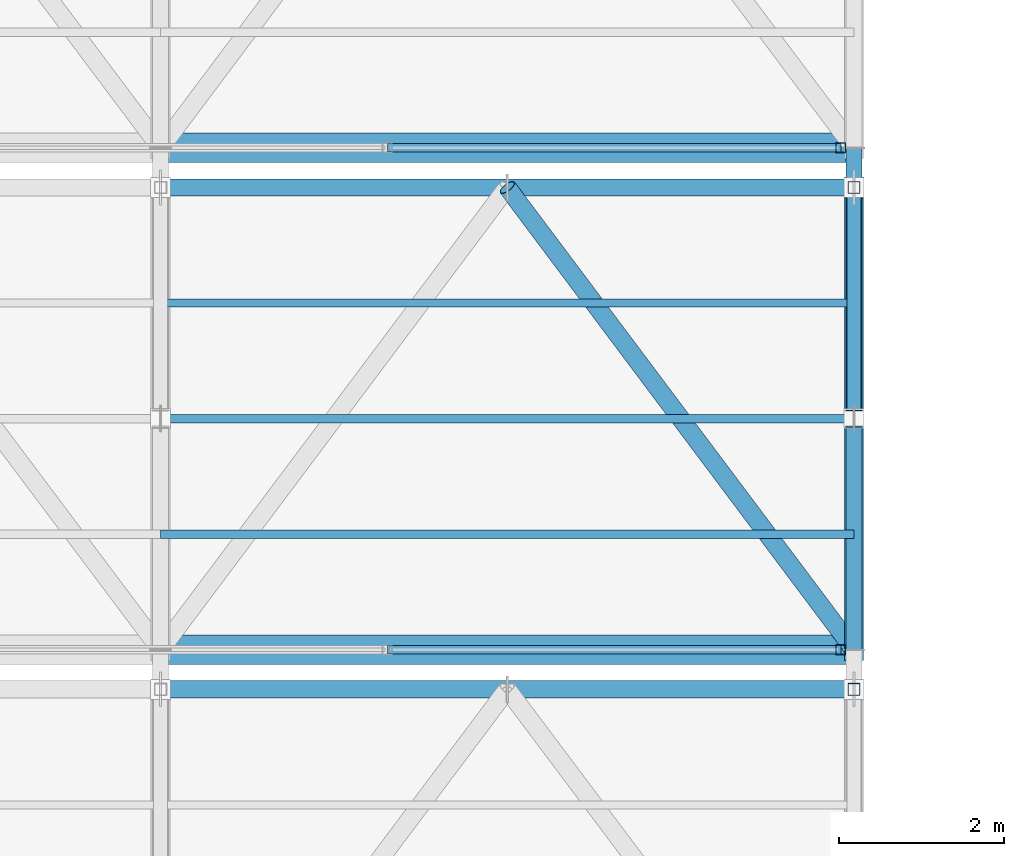
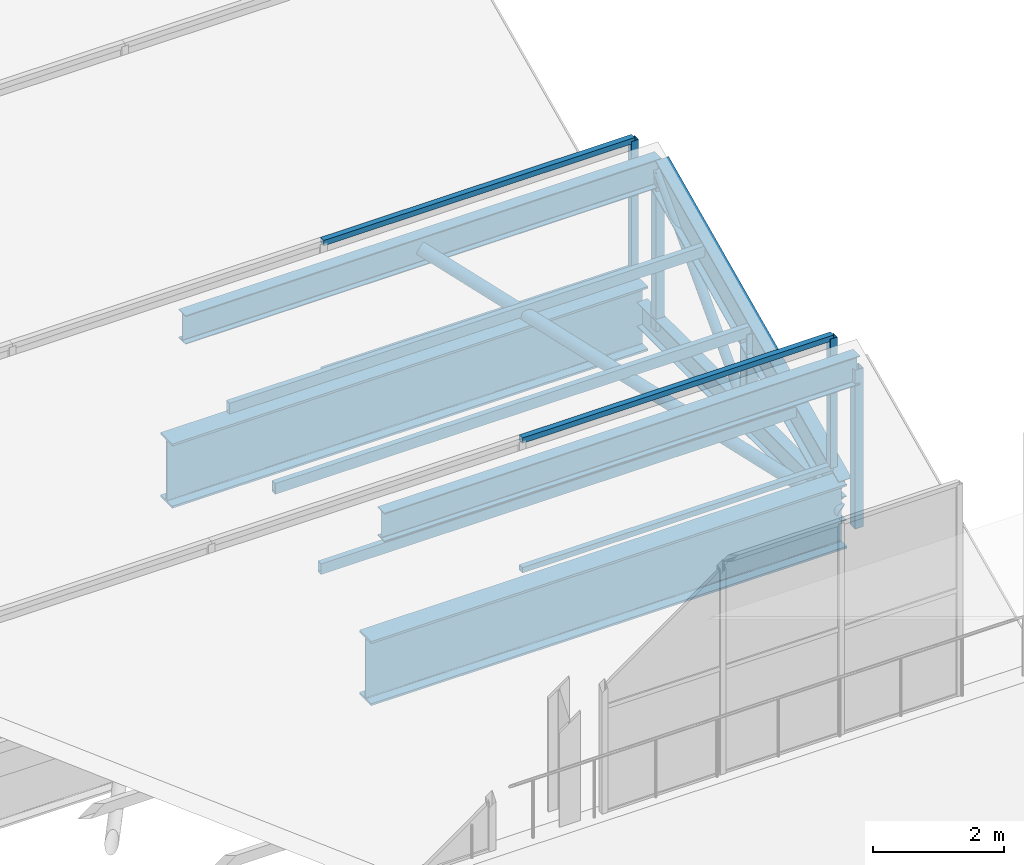
# One storey, part 100 of 217: 18 members, 2 beams, 2 elements without a shape of their own.
"""IFC4 building model written with IfcOpenShell, lengths in metres."""

from ifc_helpers import new_model, si_unit, direction, frame, origin, origin_2d, place, context, subcontext, project, spatial, hollow_rectangle, hollow_circle, i_section, extrude, material, material_profile, profile_set, type_object, element, aggregate, save


model = new_model("IFC4")

# Units and contexts
model_context = context("Model", 3, precision=1e-05, world=origin(), true_north=direction((0.0, 1.0)))
body_context = subcontext(model_context, "Body", "Model", "MODEL_VIEW")
ifc_project = project(units=[si_unit("LENGTHUNIT", "METRE"), si_unit("AREAUNIT", "SQUARE_METRE"), si_unit("VOLUMEUNIT", "CUBIC_METRE"), si_unit("PLANEANGLEUNIT", "RADIAN"), si_unit("MASSUNIT", "GRAM", prefix="KILO")], contexts=[model_context])

# Site, building, storey
site_placement = place(None, origin())
site = spatial("IfcSite", under=ifc_project, at=site_placement, CompositionType="ELEMENT")
building_placement = place(site_placement, origin())
building = spatial("IfcBuilding", under=site, at=building_placement, Name="Zuvorla Pavilion Media Centre", CompositionType="ELEMENT")
storey_placement = place(building_placement, frame((0.0, 0.0, 9.60009765625)))
storey = spatial("IfcBuildingStorey", under=building, at=storey_placement, Name="L02", CompositionType="ELEMENT", Elevation=9.60009765625)

# Beams
ifc_material_1 = material(Name="Steel S355", Category="steel")
ifc_material_profile_1 = material_profile(ifc_material_1, i_section(OverallWidth=0.360107421875, OverallDepth=1.199951171875, WebThickness=0.02001953125, FlangeThickness=0.0380859375, FilletRadius=0.02392578125, at=origin_2d()), Name="PG 1200x360x38")
ifc_profile_set_1 = profile_set([ifc_material_profile_1], Name="Steel S355")
beam_type = type_object("IfcBeamType", Name="BM-PG1200", PredefinedType="BEAM", material=ifc_profile_set_1)
for number, where, z_axis, x_axis, name in (
    (1, (125.60009765625, 95.679931640625, -0.88818359375), (1.0, 0.0, 0.0), (0.0, 1.0, 0.0), "L02 beam B01 1789"),
    (2, (125.60009765625, 101.760009765625, -0.88818359375), (1.0, 0.0, 0.0), (0.0, 1.0, 0.0), "L02 beam B01 1795"),
):
    element("IfcBeam", number, at=place(storey_placement, frame(where, z_axis=z_axis, x_axis=x_axis)), inside=storey, type_object=beam_type, Name=name, PredefinedType="BEAM", context=body_context, shape_type="SweptSolid", body=[
        extrude(i_section(OverallWidth=0.360107421875, OverallDepth=1.199951171875, WebThickness=0.02001953125, FlangeThickness=0.0380859375, FilletRadius=0.02392578125, at=origin_2d()), origin(), (0.0, 0.0, 1.0), 8.39990234375),
    ])

# Curtain wall, member
ifc_material_2 = material(Name="Unitised anodised aluminium and solar glass curtain wall", Category="aluminium")
curtain_wall_type = type_object("IfcCurtainWallType", Name="CW-SYS-88", PredefinedType="USERDEFINED", material=ifc_material_2)
curtain_wall_1_placement = place(storey_placement, origin())
curtain_wall_1 = element("IfcCurtainWall", 3, at=curtain_wall_1_placement, inside=storey, type_object=curtain_wall_type, Name="L02 curtain wall CW88 203", ObjectType="CURTAIN WALL", PredefinedType="USERDEFINED")
ifc_material_3 = material(Name="Anodised aluminium 6063-T6", Category="aluminium")
ifc_material_profile_2 = material_profile(ifc_material_3, hollow_rectangle(XDim=0.1201171875, YDim=0.1201171875, WallThickness=0.0048828125, at=origin_2d()), Name="ALU MULL 120x120")
ifc_profile_set_2 = profile_set([ifc_material_profile_2], Name="Anodised aluminium 6063-T6")
member_type_1 = type_object("IfcMemberType", Name="CW-MULL-120", PredefinedType="MULLION", material=ifc_profile_set_2)
member_1_placement = place(storey_placement, frame((133.840087890625, 95.679931640625, 0.0), z_axis=(0.0, 0.0, 1.0), x_axis=(1.0, 0.0, 0.0)))
member_1 = element("IfcMember", 4, at=member_1_placement, type_object=member_type_1, Name="CW88 mullion 4", PredefinedType="MULLION", context=body_context, shape_type="SweptSolid", body=[
    extrude(hollow_rectangle(XDim=0.1201171875, YDim=0.1201171875, WallThickness=0.0048828125, at=origin_2d()), origin(), (0.0, 0.0, 1.0), 2.419921875),
])

curtain_wall_2_placement = place(storey_placement, origin())
curtain_wall_2 = element("IfcCurtainWall", 5, at=curtain_wall_2_placement, inside=storey, type_object=curtain_wall_type, Name="L02 curtain wall CW88 207", ObjectType="CURTAIN WALL", PredefinedType="USERDEFINED")
member_2_placement = place(storey_placement, frame((133.840087890625, 101.760009765625, 0.0), z_axis=(0.0, 0.0, 1.0), x_axis=(1.0, 0.0, 0.0)))
member_2 = element("IfcMember", 6, at=member_2_placement, type_object=member_type_1, Name="CW88 mullion 4", PredefinedType="MULLION", context=body_context, shape_type="SweptSolid", body=[
    extrude(hollow_rectangle(XDim=0.1201171875, YDim=0.1201171875, WallThickness=0.0048828125, at=origin_2d()), origin(), (0.0, 0.0, 1.0), 2.419921875),
])

# Member
ifc_material_profile_3 = material_profile(ifc_material_3, hollow_rectangle(XDim=0.10009765625, YDim=0.10009765625, WallThickness=0.00439453125, at=origin_2d()), Name="ALU TRAN 100x100")
ifc_profile_set_3 = profile_set([ifc_material_profile_3], Name="Anodised aluminium 6063-T6")
member_type_2 = type_object("IfcMemberType", Name="CW-TRAN-100", PredefinedType="USERDEFINED", material=ifc_profile_set_3)
member_3_placement = place(storey_placement, frame((128.3466796875, 95.679931640625, 0.0), z_axis=(1.0, 0.0, 0.0), x_axis=(0.0, 1.0, 0.0)))
member_3 = element("IfcMember", 7, at=member_3_placement, type_object=member_type_2, Name="CW88 transom 3.1", ObjectType="TRANSOM", PredefinedType="USERDEFINED", context=body_context, shape_type="SweptSolid", body=[
    extrude(hollow_rectangle(XDim=0.10009765625, YDim=0.10009765625, WallThickness=0.00439453125, at=origin_2d()), origin(), (0.0, 0.0, 1.0), 5.493408203125),
])

member_4_placement = place(storey_placement, frame((128.3466796875, 95.679931640625, 2.419921875), z_axis=(1.0, 0.0, 0.0), x_axis=(0.0, 1.0, 0.0)))
member_4 = element("IfcMember", 8, at=member_4_placement, type_object=member_type_2, Name="CW88 transom 3.2", ObjectType="TRANSOM", PredefinedType="USERDEFINED", context=body_context, shape_type="SweptSolid", body=[
    extrude(hollow_rectangle(XDim=0.10009765625, YDim=0.10009765625, WallThickness=0.00439453125, at=origin_2d()), origin(), (0.0, 0.0, 1.0), 5.493408203125),
])

aggregate(curtain_wall_1, [member_1, member_3, member_4])

member_5_placement = place(storey_placement, frame((128.3466796875, 101.760009765625, 0.0), z_axis=(1.0, 0.0, 0.0), x_axis=(0.0, 1.0, 0.0)))
member_5 = element("IfcMember", 9, at=member_5_placement, type_object=member_type_2, Name="CW88 transom 3.1", ObjectType="TRANSOM", PredefinedType="USERDEFINED", context=body_context, shape_type="SweptSolid", body=[
    extrude(hollow_rectangle(XDim=0.10009765625, YDim=0.10009765625, WallThickness=0.00439453125, at=origin_2d()), origin(), (0.0, 0.0, 1.0), 5.493408203125),
])

member_6_placement = place(storey_placement, frame((128.3466796875, 101.760009765625, 2.419921875), z_axis=(1.0, 0.0, 0.0), x_axis=(0.0, 1.0, 0.0)))
member_6 = element("IfcMember", 10, at=member_6_placement, type_object=member_type_2, Name="CW88 transom 3.2", ObjectType="TRANSOM", PredefinedType="USERDEFINED", context=body_context, shape_type="SweptSolid", body=[
    extrude(hollow_rectangle(XDim=0.10009765625, YDim=0.10009765625, WallThickness=0.00439453125, at=origin_2d()), origin(), (0.0, 0.0, 1.0), 5.493408203125),
])

aggregate(curtain_wall_2, [member_2, member_5, member_6])

# Members
ifc_material_profile_4 = material_profile(ifc_material_1, hollow_circle(Radius=0.084228515625, WallThickness=0.008056640625, at=origin_2d()), Name="CHS 168.3x8")
ifc_profile_set_4 = profile_set([ifc_material_profile_4], Name="Steel S355")
member_type_3 = type_object("IfcMemberType", Name="MEM-BRC-CHS168", PredefinedType="BRACE", material=ifc_profile_set_4)
member_7_placement = place(storey_placement, frame((134.0, 98.47998046875, -0.880126953125), z_axis=(0.0, 0.68676242614, 0.726881950555), x_axis=(-1.0, 0.0, 0.0)))
element("IfcMember", 11, at=member_7_placement, inside=storey, type_object=member_type_3, Name="L02 diagonal brace TB03 169", PredefinedType="BRACE", context=body_context, shape_type="SweptSolid", body=[
    extrude(hollow_circle(Radius=0.084228515625, WallThickness=0.008056640625, at=origin_2d()), origin(), (0.0, 0.0, 1.0), 4.0771484375),
])
ifc_material_profile_5 = material_profile(ifc_material_1, hollow_circle(Radius=0.109619140625, WallThickness=0.010009765625, at=origin_2d()), Name="CHS 219.1x10")
ifc_profile_set_5 = profile_set([ifc_material_profile_5], Name="Steel S355")
member_type_4 = type_object("IfcMemberType", Name="MEM-BRC-CHS219", PredefinedType="BRACE", material=ifc_profile_set_5)
member_8_placement = place(storey_placement, frame((129.800048828125, 101.280029296875, 2.08349609375), z_axis=(0.552511596944, -0.736703540702, -0.389870271191), x_axis=(0.800008370399, 0.599988839305, 0.0)))
element("IfcMember", 12, at=member_8_placement, inside=storey, type_object=member_type_4, Name="L02 diagonal brace TB02 215", PredefinedType="BRACE", context=body_context, shape_type="SweptSolid", body=[
    extrude(hollow_circle(Radius=0.109619140625, WallThickness=0.010009765625, at=origin_2d()), origin(), (0.0, 0.0, 1.0), 7.6015625),
])
ifc_material_profile_6 = material_profile(ifc_material_1, i_section(OverallWidth=0.19140625, OverallDepth=0.4599609375, WebThickness=0.010009765625, FlangeThickness=0.01611328125, FilletRadius=0.01025390625, at=origin_2d()), Name="UB 457x191x82")
ifc_profile_set_6 = profile_set([ifc_material_profile_6], Name="Steel S355")
member_type_5 = type_object("IfcMemberType", Name="MEM-CHD-UB457", PredefinedType="CHORD", material=ifc_profile_set_6)
member_9_placement = place(storey_placement, frame((134.0, 95.679931640625, -0.880126953125), z_axis=(0.0, 1.0, 0.0), x_axis=(-1.0, 0.0, 0.0)))
element("IfcMember", 13, at=member_9_placement, inside=storey, type_object=member_type_5, Name="L02 chord TC03 166", PredefinedType="CHORD", context=body_context, shape_type="SweptSolid", body=[
    extrude(i_section(OverallWidth=0.19140625, OverallDepth=0.4599609375, WebThickness=0.010009765625, FlangeThickness=0.01611328125, FilletRadius=0.01025390625, at=origin_2d()), origin(), (0.0, 0.0, 1.0), 6.080078125),
])
ifc_material_profile_7 = material_profile(ifc_material_1, i_section(OverallWidth=0.2099609375, OverallDepth=0.53662109375, WebThickness=0.0107421875, FlangeThickness=0.017333984375, FilletRadius=0.0126953125, at=origin_2d()), Name="UB 533x210x101")
ifc_profile_set_7 = profile_set([ifc_material_profile_7], Name="Steel S355")
member_type_6 = type_object("IfcMemberType", Name="MEM-CHD-UB533", PredefinedType="CHORD", material=ifc_profile_set_7)
for number, where, z_axis, x_axis, name in (
    (14, (125.60009765625, 95.199951171875, 2.08349609375), (1.0, 0.0, 0.0), (0.0, 1.0, 0.0), "L02 chord TC02 120"),
    (15, (125.60009765625, 101.280029296875, 2.08349609375), (1.0, 0.0, 0.0), (0.0, 1.0, 0.0), "L02 chord TC02 213"),
):
    element("IfcMember", number, at=place(storey_placement, frame(where, z_axis=z_axis, x_axis=x_axis)), inside=storey, type_object=member_type_6, Name=name, PredefinedType="CHORD", context=body_context, shape_type="SweptSolid", body=[
        extrude(i_section(OverallWidth=0.2099609375, OverallDepth=0.53662109375, WebThickness=0.0107421875, FlangeThickness=0.017333984375, FilletRadius=0.0126953125, at=origin_2d()), origin(), (0.0, 0.0, 1.0), 8.39990234375),
    ])
ifc_material_profile_8 = material_profile(ifc_material_1, i_section(OverallWidth=0.22900390625, OverallDepth=0.6123046875, WebThickness=0.011962890625, FlangeThickness=0.01953125, FilletRadius=0.0126953125, at=origin_2d()), Name="UB 610x229x125")
ifc_profile_set_8 = profile_set([ifc_material_profile_8], Name="Steel S355")
member_type_7 = type_object("IfcMemberType", Name="MEM-CHD-UB610", PredefinedType="CHORD", material=ifc_profile_set_8)
member_10_placement = place(storey_placement, frame((134.0, 95.679931640625, -0.5166015625), z_axis=(0.0, 0.907005731366, 0.421118277053), x_axis=(-1.0, 0.0, 0.0)))
element("IfcMember", 16, at=member_10_placement, inside=storey, type_object=member_type_7, Name="L02 chord TC01 167", PredefinedType="CHORD", context=body_context, shape_type="SweptSolid", body=[
    extrude(i_section(OverallWidth=0.22900390625, OverallDepth=0.6123046875, WebThickness=0.011962890625, FlangeThickness=0.01953125, FilletRadius=0.0126953125, at=origin_2d()), origin(), (0.0, 0.0, 1.0), 6.17431640625),
])
ifc_material_profile_9 = material_profile(ifc_material_1, hollow_rectangle(XDim=0.10009765625, YDim=0.199951171875, WallThickness=0.008056640625, at=origin_2d()), Name="RHS 200x100x8")
ifc_profile_set_9 = profile_set([ifc_material_profile_9], Name="Steel S355")
member_type_8 = type_object("IfcMemberType", Name="MEM-PUR-RHS200", PredefinedType="PURLIN", material=ifc_profile_set_9)
for number, where, z_axis, x_axis, name in (
    (17, (125.60009765625, 97.080078125, 0.133544921875), (1.0, 0.0, 0.0), (0.0, 1.0, 0.0), "L02 purlin PR01 216"),
    (18, (125.60009765625, 98.47998046875, 0.783447265625), (1.0, 0.0, 0.0), (0.0, 1.0, 0.0), "L02 purlin PR01 217"),
    (19, (125.60009765625, 99.8798828125, 1.43359375), (1.0, 0.0, 0.0), (0.0, 1.0, 0.0), "L02 purlin PR01 218"),
):
    element("IfcMember", number, at=place(storey_placement, frame(where, z_axis=z_axis, x_axis=x_axis)), inside=storey, type_object=member_type_8, Name=name, PredefinedType="PURLIN", context=body_context, shape_type="SweptSolid", body=[
        extrude(hollow_rectangle(XDim=0.10009765625, YDim=0.199951171875, WallThickness=0.008056640625, at=origin_2d()), origin(), (0.0, 0.0, 1.0), 8.39990234375),
    ])
ifc_material_profile_10 = material_profile(ifc_material_1, hollow_rectangle(XDim=0.14990234375, YDim=0.14990234375, WallThickness=0.008056640625, at=origin_2d()), Name="SHS 150x150x8")
ifc_profile_set_10 = profile_set([ifc_material_profile_10], Name="Steel S355")
member_type_9 = type_object("IfcMemberType", Name="MEM-STR-SHS150", PredefinedType="STRUT", material=ifc_profile_set_10)
for number, where, z_axis, x_axis, name in (
    (20, (134.0, 95.199951171875, -0.880126953125), (0.0, 0.0, 1.0), (1.0, 0.0, 0.0), "L02 vertical strut TS01 75"),
    (21, (134.0, 101.280029296875, -0.880126953125), (0.0, 0.0, 1.0), (1.0, 0.0, 0.0), "L02 vertical strut TS01 168"),
):
    element("IfcMember", number, at=place(storey_placement, frame(where, z_axis=z_axis, x_axis=x_axis)), inside=storey, type_object=member_type_9, Name=name, PredefinedType="STRUT", context=body_context, shape_type="SweptSolid", body=[
        extrude(hollow_rectangle(XDim=0.14990234375, YDim=0.14990234375, WallThickness=0.008056640625, at=origin_2d()), origin(), (0.0, 0.0, 1.0), 2.963623046875),
    ])
ifc_material_profile_11 = material_profile(ifc_material_1, i_section(OverallWidth=0.205810546875, OverallDepth=0.209716796875, WebThickness=0.009521484375, FlangeThickness=0.01416015625, FilletRadius=0.01025390625, at=origin_2d()), Name="UC 203x203x60")
ifc_profile_set_11 = profile_set([ifc_material_profile_11], Name="Steel S355")
member_type_10 = type_object("IfcMemberType", Name="MEM-STR-UC203", PredefinedType="STRUT", material=ifc_profile_set_11)
member_11_placement = place(storey_placement, frame((134.0, 98.47998046875, -0.880126953125), z_axis=(0.0, 0.0, 1.0), x_axis=(1.0, 0.0, 0.0)))
element("IfcMember", 22, at=member_11_placement, inside=storey, type_object=member_type_10, Name="L02 vertical strut TS02 170", PredefinedType="STRUT", context=body_context, shape_type="SweptSolid", body=[
    extrude(i_section(OverallWidth=0.205810546875, OverallDepth=0.209716796875, WebThickness=0.009521484375, FlangeThickness=0.01416015625, FilletRadius=0.01025390625, at=origin_2d()), origin(), (0.0, 0.0, 1.0), 1.66357421875),
])

save(model, "model.ifc")
